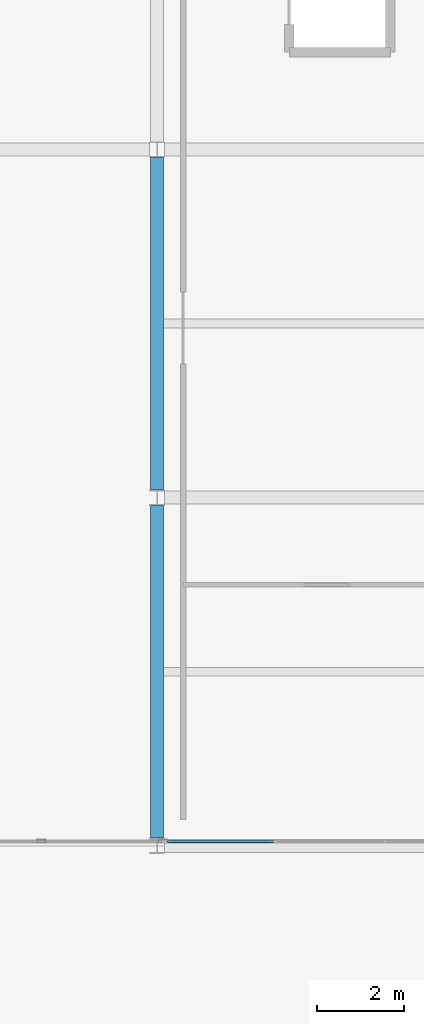
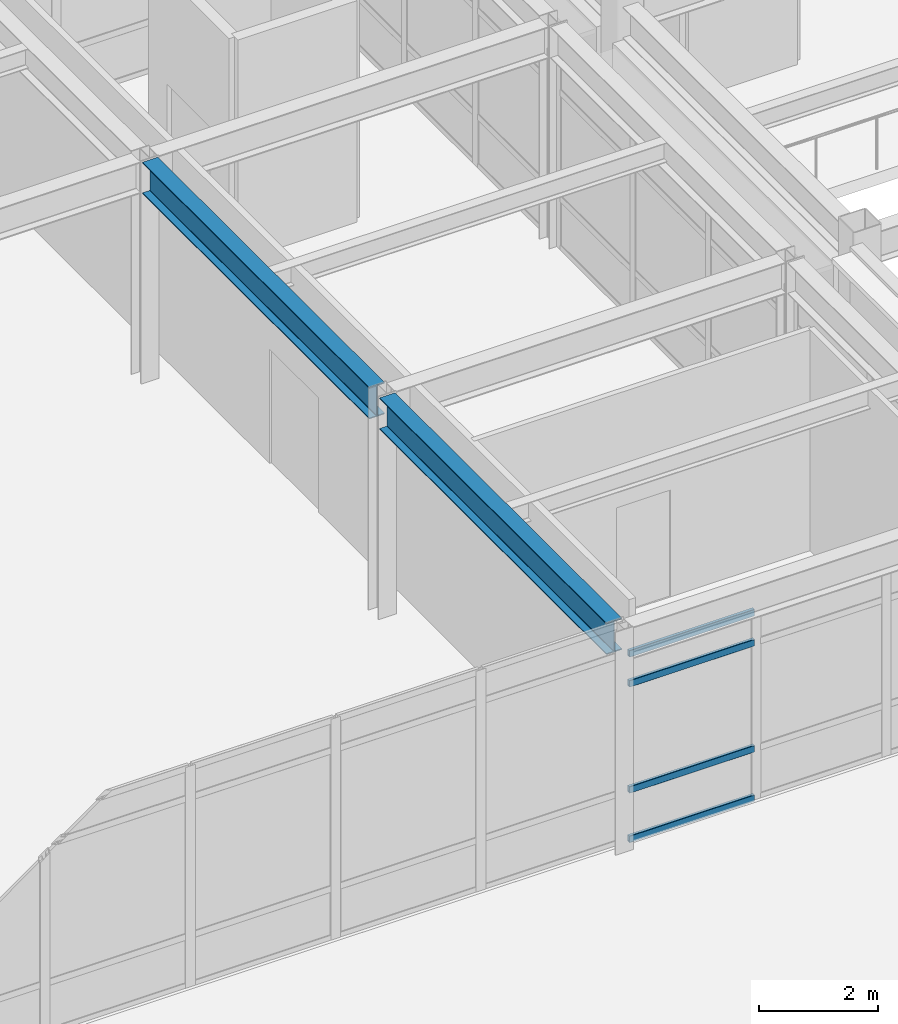
# One storey, part 17 of 154: 4 members, 2 beams, 1 element without a shape of its own.
"""IFC4 building model written with IfcOpenShell, lengths in metres."""

from ifc_helpers import new_model, si_unit, direction, frame, origin, origin_2d, place, context, subcontext, project, spatial, hollow_rectangle, i_section, extrude, material, layer, layer_set, material_profile, profile_set, type_object, element, aggregate, save


model = new_model("IFC4")

# Units and contexts
model_context = context("Model", 3, precision=1e-05, world=origin(), true_north=direction((0.0, 1.0)))
body_context = subcontext(model_context, "Body", "Model", "MODEL_VIEW")
ifc_project = project(units=[si_unit("LENGTHUNIT", "METRE"), si_unit("AREAUNIT", "SQUARE_METRE"), si_unit("VOLUMEUNIT", "CUBIC_METRE"), si_unit("PLANEANGLEUNIT", "RADIAN"), si_unit("MASSUNIT", "GRAM", prefix="KILO")], contexts=[model_context])

# Site, building, storey
site_placement = place(None, origin())
site = spatial("IfcSite", under=ifc_project, at=site_placement, CompositionType="ELEMENT")
building_placement = place(site_placement, origin())
building = spatial("IfcBuilding", under=site, at=building_placement, Name="Kazehara Bluff Congress Hotel", CompositionType="ELEMENT")
storey_placement = place(building_placement, frame((0.0, 0.0, 10.199951171875)))
storey = spatial("IfcBuildingStorey", under=building, at=storey_placement, Name="L02", CompositionType="ELEMENT", Elevation=10.199951171875)

# Curtain wall, members
ifc_material_1 = material(Name="Anodised aluminium", Category="aluminium")
ifc_layer = layer(ifc_material_1, 0.159912109375)
ifc_layer_set = layer_set([ifc_layer], Name="Anodised aluminium")
curtain_wall_type = type_object("IfcCurtainWallType", Name="TP-CW-129", PredefinedType="NOTDEFINED", material=ifc_layer_set)
curtain_wall_placement = place(storey_placement, origin())
curtain_wall = element("IfcCurtainWall", 1, at=curtain_wall_placement, inside=storey, type_object=curtain_wall_type, Name="L02 curtain wall CW-129 CW-ENC-V2-L02-5438-1610", PredefinedType="NOTDEFINED")
ifc_material_2 = material(Name="Anodised aluminium", Category="aluminium")
ifc_material_profile_1 = material_profile(ifc_material_2, hollow_rectangle(XDim=0.06494140625, YDim=0.139892578125, WallThickness=0.00390625, InnerFilletRadius=0.00390625, OuterFilletRadius=0.008056640625, at=origin_2d()))
ifc_profile_set_1 = profile_set([ifc_material_profile_1], Name="Anodised aluminium")
member_type = type_object("IfcMemberType", Name="TP-CWT-02", PredefinedType="USERDEFINED", material=ifc_profile_set_1)
member_1_placement = place(storey_placement, frame((53.075927734375, 16.10009765625, 0.032470703125), z_axis=(-1.0, 0.0, 0.0), x_axis=(0.0, -1.0, 0.0)))
member_1 = element("IfcMember", 2, at=member_1_placement, type_object=member_type, Name="CW-129 transom 3.1", ObjectType="TRANSOM", PredefinedType="USERDEFINED", context=body_context, shape_type="SweptSolid", body=[
    extrude(hollow_rectangle(XDim=0.06494140625, YDim=0.139892578125, WallThickness=0.00390625, InnerFilletRadius=0.00390625, OuterFilletRadius=0.008056640625, at=origin_2d()), origin(), (0.0, 0.0, 1.0), 2.43603515625),
])
member_2_placement = place(storey_placement, frame((53.075927734375, 16.10009765625, 1.050048828125), z_axis=(-1.0, 0.0, 0.0), x_axis=(0.0, -1.0, 0.0)))
member_2 = element("IfcMember", 3, at=member_2_placement, type_object=member_type, Name="CW-129 transom 3.2", ObjectType="TRANSOM", PredefinedType="USERDEFINED", context=body_context, shape_type="SweptSolid", body=[
    extrude(hollow_rectangle(XDim=0.06494140625, YDim=0.139892578125, WallThickness=0.00390625, InnerFilletRadius=0.00390625, OuterFilletRadius=0.008056640625, at=origin_2d()), origin(), (0.0, 0.0, 1.0), 2.43603515625),
])
member_3_placement = place(storey_placement, frame((53.075927734375, 16.10009765625, 3.235107421875), z_axis=(-1.0, 0.0, 0.0), x_axis=(0.0, -1.0, 0.0)))
member_3 = element("IfcMember", 4, at=member_3_placement, type_object=member_type, Name="CW-129 transom 3.3", ObjectType="TRANSOM", PredefinedType="USERDEFINED", context=body_context, shape_type="SweptSolid", body=[
    extrude(hollow_rectangle(XDim=0.06494140625, YDim=0.139892578125, WallThickness=0.00390625, InnerFilletRadius=0.00390625, OuterFilletRadius=0.008056640625, at=origin_2d()), origin(), (0.0, 0.0, 1.0), 2.43603515625),
])
member_4_placement = place(storey_placement, frame((53.075927734375, 16.10009765625, 3.8525390625), z_axis=(-1.0, 0.0, 0.0), x_axis=(0.0, -1.0, 0.0)))
member_4 = element("IfcMember", 5, at=member_4_placement, type_object=member_type, Name="CW-129 transom 3.4", ObjectType="TRANSOM", PredefinedType="USERDEFINED", context=body_context, shape_type="SweptSolid", body=[
    extrude(hollow_rectangle(XDim=0.06494140625, YDim=0.139892578125, WallThickness=0.00390625, InnerFilletRadius=0.00390625, OuterFilletRadius=0.008056640625, at=origin_2d()), origin(), (0.0, 0.0, 1.0), 2.43603515625),
])
aggregate(curtain_wall, [member_1, member_2, member_3, member_4])

# Beams
ifc_material_3 = material(Name="Steel SN490B", Category="steel")
ifc_material_profile_2 = material_profile(ifc_material_3, i_section(OverallWidth=0.300048828125, OverallDepth=0.64990234375, WebThickness=0.011962890625, FlangeThickness=0.02001953125, FilletRadius=0.012939453125, at=origin_2d()))
ifc_profile_set_2 = profile_set([ifc_material_profile_2], Name="Steel SN490B")
beam_type = type_object("IfcBeamType", Name="TP-G-03", PredefinedType="BEAM", material=ifc_profile_set_2)
for number, where, z_axis, x_axis, name in (
    (6, (50.39990234375, 16.175048828125, 4.235107421875), (0.0, 1.0, 0.0), (-1.0, 0.0, 0.0), "L02 girder G-03 43"),
    (7, (50.39990234375, 24.175048828125, 4.235107421875), (0.0, 1.0, 0.0), (-1.0, 0.0, 0.0), "L02 girder G-03 44"),
):
    element("IfcBeam", number, at=place(storey_placement, frame(where, z_axis=z_axis, x_axis=x_axis)), inside=storey, type_object=beam_type, Name=name, PredefinedType="BEAM", context=body_context, shape_type="SweptSolid", body=[
        extrude(i_section(OverallWidth=0.300048828125, OverallDepth=0.64990234375, WebThickness=0.011962890625, FlangeThickness=0.02001953125, FilletRadius=0.012939453125, at=origin_2d()), origin(), (0.0, 0.0, 1.0), 7.64990234375),
    ])

save(model, "model.ifc")
